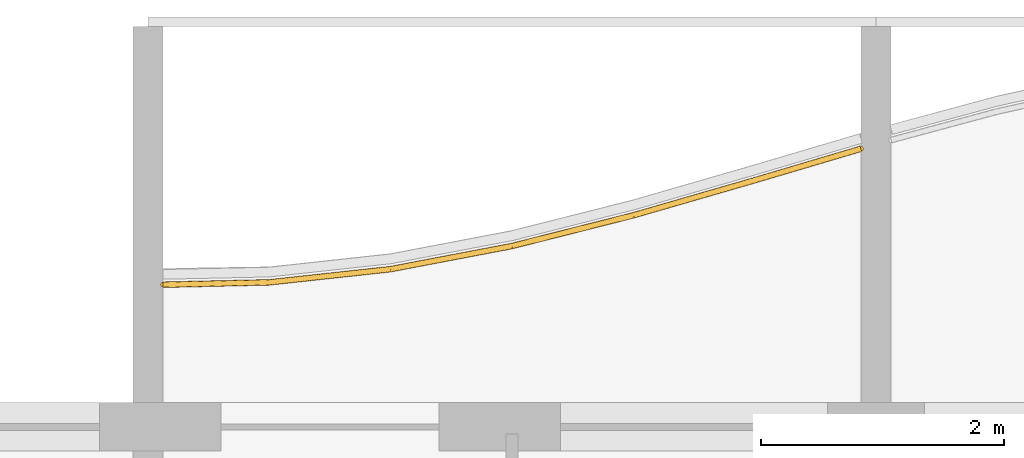
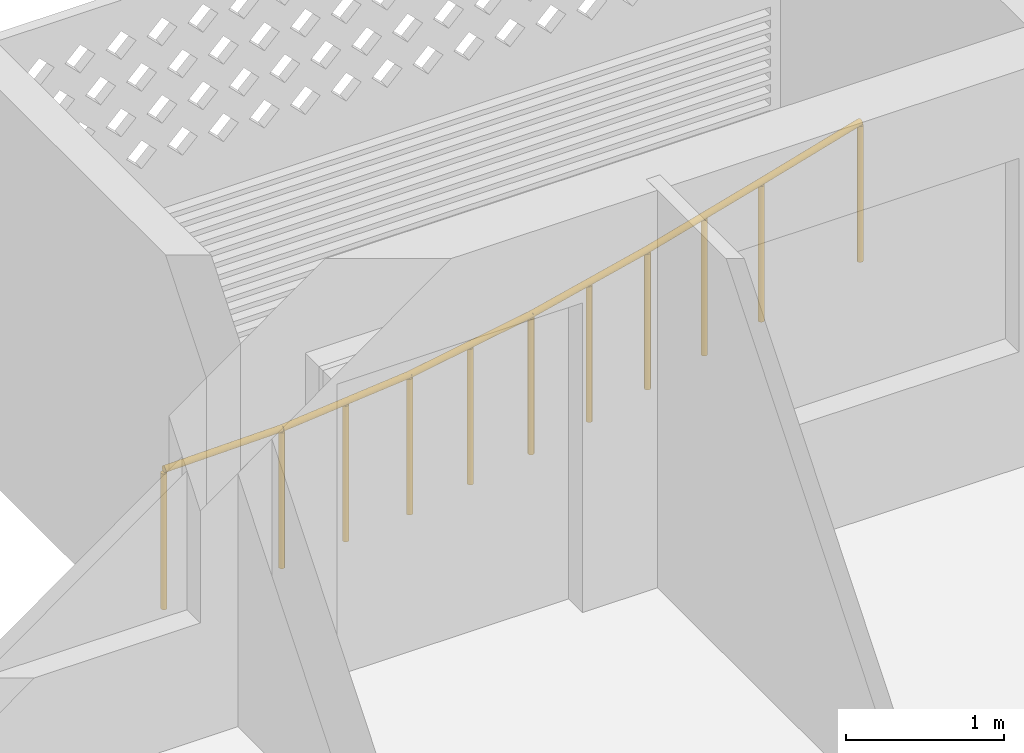
# One storey, part 15 of 26: 1 railing.
"""IFC4 building model written with IfcOpenShell, lengths in metres."""

from ifc_helpers import new_model, si_unit, direction, frame, origin, origin_2d, place, context, subcontext, project, spatial, circle, extrude, material, type_object, element, save


model = new_model("IFC4")

# Units and contexts
model_context = context("Model", 3, precision=1e-05, world=origin(), true_north=direction((0.0, 1.0)))
body_context = subcontext(model_context, "Body", "Model", "MODEL_VIEW")
ifc_project = project(units=[si_unit("LENGTHUNIT", "METRE"), si_unit("AREAUNIT", "SQUARE_METRE"), si_unit("VOLUMEUNIT", "CUBIC_METRE"), si_unit("PLANEANGLEUNIT", "RADIAN"), si_unit("MASSUNIT", "GRAM", prefix="KILO")], contexts=[model_context])

# Site, building, storey
site_placement = place(None, origin())
site = spatial("IfcSite", under=ifc_project, at=site_placement, CompositionType="ELEMENT")
building_placement = place(site_placement, origin())
building = spatial("IfcBuilding", under=site, at=building_placement, Name="Poui Terraces", CompositionType="ELEMENT")
storey_placement = place(building_placement, frame((0.0, 0.0, 224.699951171875)))
storey = spatial("IfcBuildingStorey", under=building, at=storey_placement, Name="L62", CompositionType="ELEMENT", Elevation=224.699951171875)

# Railing
ifc_material = material(Name="Painted steel fretwork", Category="steel")
railing_type = type_object("IfcRailingType", Name="BALCONY GUARD 1100", PredefinedType="GUARDRAIL", material=ifc_material)
railing_placement = place(storey_placement, frame((30.125, 42.3720703125, 0.0)))
element("IfcRailing", 1, at=railing_placement, inside=storey, type_object=railing_type, Name="BALCONY GUARD", PredefinedType="GUARDRAIL", context=body_context, shape_type="SweptSolid", body=[
    extrude(circle(Radius=0.02392578125, at=origin_2d()), frame((0.0, 0.0, 1.076171875), z_axis=(0.999757154554, 0.022037057815, 0.0), x_axis=(-0.022037057815, 0.999757154554, 0.0)), (0.0, 0.0, 1.0), 0.875244140625),
    extrude(circle(Radius=0.02392578125, at=origin_2d()), frame((0.875, 0.019287109375, 1.076171875), z_axis=(0.994124040351, 0.108246904784, 0.0), x_axis=(-0.108246904784, 0.994124040351, 0.0)), (0.0, 0.0, 1.0), 1.005859375),
    extrude(circle(Radius=0.02392578125, at=origin_2d()), frame((1.875, 0.128173828125, 1.076171875), z_axis=(0.982302864177, 0.187299447491, 0.0), x_axis=(-0.187299447491, 0.982302864177, 0.0)), (0.0, 0.0, 1.0), 1.01806640625),
    extrude(circle(Radius=0.02392578125, at=origin_2d()), frame((2.875, 0.31884765625, 1.076171875), z_axis=(0.969470524151, 0.245207876714, 0.0), x_axis=(-0.245207876714, 0.969470524151, 0.0)), (0.0, 0.0, 1.0), 1.031494140625),
    extrude(circle(Radius=0.02392578125, at=origin_2d()), frame((3.875, 0.57177734375, 1.076171875), z_axis=(0.960669700127, 0.277693585193, 0.0), x_axis=(-0.277693585193, 0.960669700127, 0.0)), (0.0, 0.0, 1.0), 1.041015625),
    extrude(circle(Radius=0.02392578125, at=origin_2d()), frame((4.875, 0.86083984375, 1.076171875), z_axis=(0.9587927149, 0.284106546658, 0.0), x_axis=(-0.284106546658, 0.9587927149, 0.0)), (0.0, 0.0, 1.0), 0.91259765625),
    extrude(circle(Radius=0.02099609375, at=origin_2d()), origin(), (0.0, 0.0, 1.0), 1.052001953125),
    extrude(circle(Radius=0.02099609375, at=origin_2d()), frame((0.875, 0.019287109375, 0.0)), (0.0, 0.0, 1.0), 1.052001953125),
    extrude(circle(Radius=0.02099609375, at=origin_2d()), frame((1.375, 0.07373046875, 0.0)), (0.0, 0.0, 1.0), 1.052001953125),
    extrude(circle(Radius=0.02099609375, at=origin_2d()), frame((1.875, 0.128173828125, 0.0)), (0.0, 0.0, 1.0), 1.052001953125),
    extrude(circle(Radius=0.02099609375, at=origin_2d()), frame((2.375, 0.2236328125, 0.0)), (0.0, 0.0, 1.0), 1.052001953125),
    extrude(circle(Radius=0.02099609375, at=origin_2d()), frame((2.875, 0.31884765625, 0.0)), (0.0, 0.0, 1.0), 1.052001953125),
    extrude(circle(Radius=0.02099609375, at=origin_2d()), frame((3.375, 0.4453125, 0.0)), (0.0, 0.0, 1.0), 1.052001953125),
    extrude(circle(Radius=0.02099609375, at=origin_2d()), frame((3.875, 0.57177734375, 0.0)), (0.0, 0.0, 1.0), 1.052001953125),
    extrude(circle(Radius=0.02099609375, at=origin_2d()), frame((4.375, 0.71630859375, 0.0)), (0.0, 0.0, 1.0), 1.052001953125),
    extrude(circle(Radius=0.02099609375, at=origin_2d()), frame((4.875, 0.86083984375, 0.0)), (0.0, 0.0, 1.0), 1.052001953125),
    extrude(circle(Radius=0.02099609375, at=origin_2d()), frame((5.75, 1.1201171875, 0.0)), (0.0, 0.0, 1.0), 1.052001953125),
])

save(model, "model.ifc")
